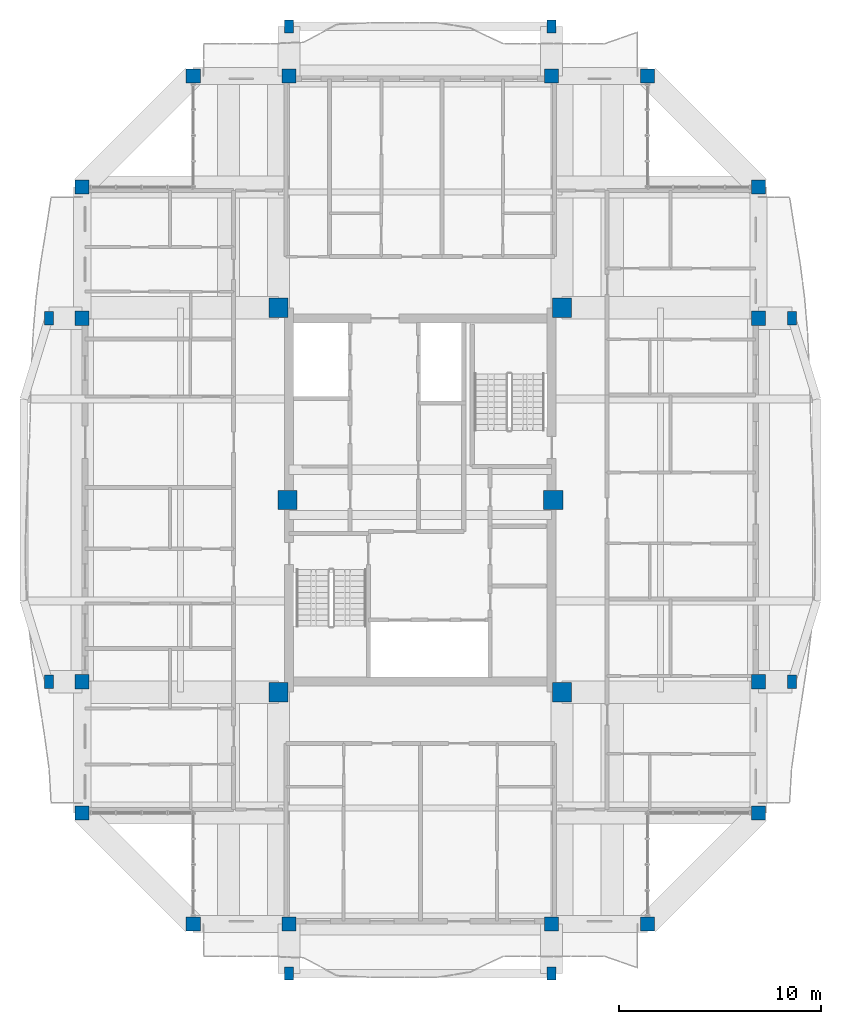
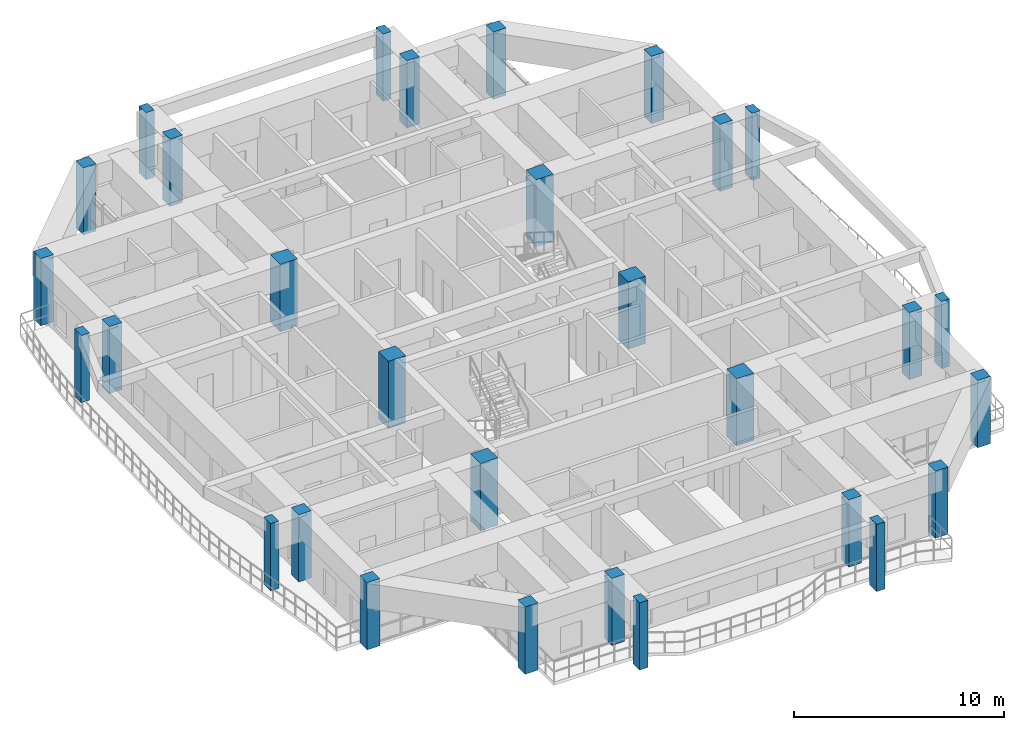
# One storey, part 1 of 27: 30 columns.
"""IFC4 building model written with IfcOpenShell, lengths in metres."""

import ifcopenshell
import ifcopenshell.guid

model = None  # the IFC model being written
_history = None  # IfcOwnerHistory: only IFC2X3 demands one
_inside = {}  # id of a spatial element -> (the spatial element, [elements in it])
_under = {}  # id of a project, library or spatial element -> (it, [spatial elements below it])
_declared = {}  # id of a project -> (the project, [libraries it declares])
_typed = {}  # id of a type object -> (the type object, [elements of that type])
_made_of = {}  # id of a material, layer set ... -> (it, [elements and type objects made of it])


def new_model(schema):
    """Start an empty IFC model of exactly this schema.

    Asked for "IFC4X3", IfcOpenShell would pick the latest addendum, in which some entities
    have other attributes; the version numbers below select the first issue.
    IFC2X3 requires an IfcOwnerHistory on every rooted entity: one is made here for all.
    """
    global model, _history
    if schema == "IFC4X3":
        model = ifcopenshell.file(schema_version=(4, 3, 0, 0))
    else:
        model = ifcopenshell.file(schema=schema)
    _inside.clear()
    _under.clear()
    _declared.clear()
    _typed.clear()
    _made_of.clear()
    _history = None
    if model.schema == "IFC2X3":
        org = make("IfcOrganization", Name="unknown")
        user = make(
            "IfcPersonAndOrganization",
            ThePerson=make("IfcPerson", FamilyName="unknown"),
            TheOrganization=org,
        )
        app = make(
            "IfcApplication",
            ApplicationDeveloper=org,
            Version="unknown",
            ApplicationFullName="unknown",
            ApplicationIdentifier="unknown",
        )
        _history = make(
            "IfcOwnerHistory",
            OwningUser=user,
            OwningApplication=app,
            ChangeAction="ADDED",
            CreationDate=0,
        )
    return model


def make(cls, **values):
    """One entity of the class cls with the attributes given. An attribute that is None is left unset."""
    return model.create_entity(
        cls, **{name: value for name, value in values.items() if value is not None}
    )


def rooted(cls, **values):
    """An entity with a GlobalId (a new one), such as an element, a storey or a relation."""
    return make(cls, GlobalId=ifcopenshell.guid.new(), OwnerHistory=_history, **values)


def si_unit(unit_type, name, prefix=None):
    """IfcSIUnit, for example si_unit("LENGTHUNIT", "METRE", prefix="MILLI")."""
    return make("IfcSIUnit", UnitType=unit_type, Prefix=prefix, Name=name)


def assignment(units):
    """IfcUnitAssignment: the units of a project."""
    return None if units is None else make("IfcUnitAssignment", Units=units)


def point(xyz):
    """IfcCartesianPoint."""
    return None if xyz is None else make("IfcCartesianPoint", Coordinates=xyz)


def direction(xyz):
    """IfcDirection."""
    return None if xyz is None else make("IfcDirection", DirectionRatios=xyz)


def frame(location, z_axis=None, x_axis=None):
    """IfcAxis2Placement3D, a coordinate frame: its origin and axes. An axis left out is left unset."""
    return make(
        "IfcAxis2Placement3D",
        Location=point(location),
        Axis=direction(z_axis),
        RefDirection=direction(x_axis),
    )


def frame_2d(location, x_axis=None):
    """IfcAxis2Placement2D, a coordinate frame in the plane: its origin and x axis."""
    return make(
        "IfcAxis2Placement2D", Location=point(location), RefDirection=direction(x_axis)
    )


def origin():
    """The frame at (0, 0, 0) with its axes left unset."""
    return frame((0.0, 0.0, 0.0))


def origin_2d():
    """The frame at (0, 0) in the plane with its x axis left unset."""
    return frame_2d((0.0, 0.0))


def place(relative_to, where):
    """IfcLocalPlacement: puts the frame where relative to a parent placement (None: the world)."""
    return make(
        "IfcLocalPlacement", PlacementRelTo=relative_to, RelativePlacement=where
    )


def context(
    kind, dimensions, precision=None, world=None, true_north=None, identifier=None
):
    """IfcGeometricRepresentationContext, for example the 3D "Model" context."""
    return make(
        "IfcGeometricRepresentationContext",
        ContextIdentifier=identifier,
        ContextType=kind,
        CoordinateSpaceDimension=dimensions,
        Precision=precision,
        WorldCoordinateSystem=world,
        TrueNorth=true_north,
    )


def subcontext(parent, identifier, kind, view, scale=None):
    """IfcGeometricRepresentationSubContext, for example "Body" below "Model"."""
    return make(
        "IfcGeometricRepresentationSubContext",
        ContextIdentifier=identifier,
        ContextType=kind,
        ParentContext=parent,
        TargetScale=scale,
        TargetView=view,
    )


def project(units=None, contexts=None):
    """IfcProject with its units and contexts."""
    return rooted(
        "IfcProject",
        Name="project",
        RepresentationContexts=contexts,
        UnitsInContext=assignment(units),
    )


def spatial(cls, under=None, at=None, **own):
    """A site, building, storey or space (cls), placed at a placement, below another one or the project."""
    s = rooted(cls, ObjectPlacement=at, **own)
    if under is not None:
        _under.setdefault(under.id(), (under, []))[1].append(s)
    return s


def profile(cls, at=None, kind="AREA", **sizes):
    """A parametric profile (cls). Its sizes go by their IFC names, for example OverallWidth=200.0."""
    return make(cls, ProfileType=kind, Position=at, **sizes)


def rectangle(**sizes):
    """IfcRectangleProfileDef."""
    return profile("IfcRectangleProfileDef", **sizes)


def extrude(swept, where, along, depth):
    """IfcExtrudedAreaSolid: the profile swept, set in the frame where, extruded along a direction by depth."""
    return make(
        "IfcExtrudedAreaSolid",
        SweptArea=swept,
        Position=where,
        ExtrudedDirection=direction(along),
        Depth=depth,
    )


def shape(context_of_items, identifier, shape_type, items):
    """IfcShapeRepresentation: the items that make up one representation, for example the "Body"."""
    return make(
        "IfcShapeRepresentation",
        ContextOfItems=context_of_items,
        RepresentationIdentifier=identifier,
        RepresentationType=shape_type,
        Items=items,
    )


def source(mapping_origin, context_of_items, identifier, shape_type, items):
    """IfcRepresentationMap: a shape defined once, which mapped items show again and again."""
    return make(
        "IfcRepresentationMap",
        MappingOrigin=mapping_origin,
        MappedRepresentation=shape(context_of_items, identifier, shape_type, items),
    )


def transform(
    local_origin,
    x_axis=None,
    y_axis=None,
    z_axis=None,
    scale=None,
    scale2=None,
    scale3=None,
    uniform=True,
):
    """IfcCartesianTransformationOperator3D, or its non-uniform kind. x_axis, y_axis, z_axis: its Axis1, 2, 3."""
    if uniform:
        return make(
            "IfcCartesianTransformationOperator3D",
            Axis1=direction(x_axis),
            Axis2=direction(y_axis),
            LocalOrigin=point(local_origin),
            Scale=scale,
            Axis3=direction(z_axis),
        )
    return make(
        "IfcCartesianTransformationOperator3DnonUniform",
        Axis1=direction(x_axis),
        Axis2=direction(y_axis),
        LocalOrigin=point(local_origin),
        Scale=scale,
        Axis3=direction(z_axis),
        Scale2=scale2,
        Scale3=scale3,
    )


def mapped(mapping_source, mapping_target):
    """IfcMappedItem: shows the shape of a source again, moved by a transform."""
    return make(
        "IfcMappedItem", MappingSource=mapping_source, MappingTarget=mapping_target
    )


def material(Name=None, Category=None):
    """IfcMaterial."""
    return make("IfcMaterial", Name=Name, Category=Category)


def material_profile(
    of_material, cross_section, Name=None, Category=None, Priority=None
):
    """IfcMaterialProfile: a cross section and its material."""
    return make(
        "IfcMaterialProfile",
        Name=Name,
        Material=of_material,
        Profile=cross_section,
        Priority=Priority,
        Category=Category,
    )


def profile_set(profiles, Name=None, composite=None):
    """IfcMaterialProfileSet."""
    return make(
        "IfcMaterialProfileSet",
        Name=Name,
        MaterialProfiles=profiles,
        CompositeProfile=composite,
    )


def made_of(thing, what):
    """Note that an element or type object is made of a material, layer set ...; save() writes the relation."""
    if what is not None:
        _made_of.setdefault(what.id(), (what, []))[1].append(thing)
    return thing


def type_object(cls, material=None, **own):
    """A type object (cls), such as IfcWallType, which elements share."""
    return made_of(rooted(cls, **own), material)


def element(
    cls,
    number,
    at=None,
    inside=None,
    cuts=None,
    type_object=None,
    material=None,
    context=None,
    identifier="Body",
    shape_type=None,
    held_by="IfcProductDefinitionShape",
    body=None,
    shapes=None,
    **own,
):
    """One element of the class cls, such as IfcWall. Its Tag is "e" and its number.

    at: its placement. inside: the storey or other place that contains it. cuts: it is an
    opening in that element (IfcRelVoidsElement). A single representation is given by context,
    identifier, shape_type and body (its items); several are given by shapes. held_by: the class
    of the entity that holds the representations. save() writes the other relations.
    """
    e = rooted(cls, Tag="e%d" % number, ObjectPlacement=at, **own)
    if body is not None:
        shapes = [shape(context, identifier, shape_type, body)]
    if shapes is not None:
        e.Representation = make(held_by, Representations=shapes)
    if inside is not None:
        _inside.setdefault(inside.id(), (inside, []))[1].append(e)
    if cuts is not None:
        rooted(
            "IfcRelVoidsElement", RelatingBuildingElement=cuts, RelatedOpeningElement=e
        )
    if type_object is not None:
        _typed.setdefault(type_object.id(), (type_object, []))[1].append(e)
    return made_of(e, material)


def aggregate(whole, parts):
    """IfcRelAggregates: a whole, such as a stair, and the parts it consists of."""
    return rooted("IfcRelAggregates", RelatingObject=whole, RelatedObjects=parts)


def save(model, path):
    """Write the relations noted so far, then the file.

    IfcRelAggregates (storeys below a building ...), IfcRelContainedInSpatialStructure (elements
    in a storey), IfcRelDefinesByType, IfcRelAssociatesMaterial and IfcRelDeclares: one each for
    every whole, place, type object, material and project.
    """
    for whole, parts in _under.values():
        aggregate(whole, parts)
    for where, things in _inside.values():
        rooted(
            "IfcRelContainedInSpatialStructure",
            RelatedElements=things,
            RelatingStructure=where,
        )
    for kind, things in _typed.values():
        rooted("IfcRelDefinesByType", RelatedObjects=things, RelatingType=kind)
    for what, things in _made_of.values():
        rooted("IfcRelAssociatesMaterial", RelatedObjects=things, RelatingMaterial=what)
    for by, libraries in _declared.values():
        rooted("IfcRelDeclares", RelatingContext=by, RelatedDefinitions=libraries)
    model.write(path)


model = new_model("IFC4")

# Units and contexts
model_context = context("Model", 3, precision=1e-05, world=origin(), true_north=direction((0.0, 1.0)))
body_context = subcontext(model_context, "Body", "Model", "MODEL_VIEW")
ifc_project = project(units=[si_unit("LENGTHUNIT", "METRE"), si_unit("AREAUNIT", "SQUARE_METRE"), si_unit("VOLUMEUNIT", "CUBIC_METRE"), si_unit("PLANEANGLEUNIT", "RADIAN"), si_unit("MASSUNIT", "GRAM", prefix="KILO")], contexts=[model_context])

# Site, building, storey
site_placement = place(None, origin())
site = spatial("IfcSite", under=ifc_project, at=site_placement, CompositionType="ELEMENT")
building_placement = place(site_placement, origin())
building = spatial("IfcBuilding", under=site, at=building_placement, Name="Saelheon Loggia Tower", CompositionType="ELEMENT")
storey_placement = place(building_placement, frame((0.0, 0.0, 236.10009765625)))
storey = spatial("IfcBuildingStorey", under=building, at=storey_placement, Name="L73", CompositionType="ELEMENT", Elevation=236.10009765625)

# Columns
ifc_material_1 = material(Name="Concrete C45/55", Category="concrete")
ifc_material_profile_1 = material_profile(ifc_material_1, rectangle(XDim=0.949951171875, YDim=0.949951171875, at=origin_2d()), Name="RC-950x950")
ifc_profile_set_1 = profile_set([ifc_material_profile_1], Name="Concrete C45/55")
column_type_1 = type_object("IfcColumnType", Name="Col_Core_RC950", PredefinedType="COLUMN", material=ifc_profile_set_1)
shared_shape_1 = source(origin(), body_context, "Body", "SweptSolid", [
    extrude(rectangle(XDim=0.949951171875, YDim=0.949951171875, at=origin_2d()), origin(), (0.0, 0.0, 1.0), 3.89990234375),
])
for number, where, z_axis, x_axis, name in (
    (1, (30.97998046875, 17.47998046875, 0.0), (0.0, 0.0, 1.0), (1.0, 0.0, 0.0), "L73 Core Column CR-SW"),
    (2, (45.02001953125, 17.47998046875, 0.0), (0.0, 0.0, 1.0), (1.0, 0.0, 0.0), "L73 Core Column CR-SE"),
    (3, (30.97998046875, 36.52001953125, 0.0), (0.0, 0.0, 1.0), (1.0, 0.0, 0.0), "L73 Core Column CR-NW"),
    (4, (45.02001953125, 36.52001953125, 0.0), (0.0, 0.0, 1.0), (1.0, 0.0, 0.0), "L73 Core Column CR-NE"),
    (5, (31.419921875, 27.0, 0.0), (0.0, 0.0, 1.0), (1.0, 0.0, 0.0), "L73 Core Column CR-MW"),
    (6, (44.580078125, 27.0, 0.0), (0.0, 0.0, 1.0), (1.0, 0.0, 0.0), "L73 Core Column CR-ME"),
):
    element("IfcColumn", number, at=place(storey_placement, frame(where, z_axis=z_axis, x_axis=x_axis)), inside=storey, type_object=column_type_1, Name=name, PredefinedType="COLUMN", context=body_context, shape_type="MappedRepresentation", body=[
        mapped(shared_shape_1, transform((0.0, 0.0, 0.0), scale=1.0)),
    ])
ifc_material_2 = material(Name="Precast Concrete C45/55", Category="concrete")
ifc_material_profile_2 = material_profile(ifc_material_2, rectangle(XDim=0.449951171875, YDim=0.64990234375, at=origin_2d()), Name="RC-450x650")
ifc_profile_set_2 = profile_set([ifc_material_profile_2], Name="Precast Concrete C45/55")
column_type_2 = type_object("IfcColumnType", Name="Col_Loggia_Pilaster_650", PredefinedType="PILASTER", material=ifc_profile_set_2)
shared_shape_2 = source(origin(), body_context, "Body", "SweptSolid", [
    extrude(rectangle(XDim=0.449951171875, YDim=0.64990234375, at=origin_2d()), origin(), (0.0, 0.0, 1.0), 3.89990234375),
])
for number, where, z_axis, x_axis, name in (
    (7, (31.5, 3.550048828125, 0.0), (0.0, 0.0, 1.0), (1.0, 0.0, 0.0), "L73 Loggia Frame Pilaster LP-S1"),
    (8, (44.5, 3.550048828125, 0.0), (0.0, 0.0, 1.0), (1.0, 0.0, 0.0), "L73 Loggia Frame Pilaster LP-S2"),
    (9, (31.5, 50.449951171875, 0.0), (0.0, 0.0, 1.0), (1.0, 0.0, 0.0), "L73 Loggia Frame Pilaster LP-N1"),
    (10, (44.5, 50.449951171875, 0.0), (0.0, 0.0, 1.0), (1.0, 0.0, 0.0), "L73 Loggia Frame Pilaster LP-N2"),
    (11, (56.39990234375, 18.0, 0.0), (0.0, 0.0, 1.0), (1.0, 0.0, 0.0), "L73 Loggia Frame Pilaster LP-E1"),
    (12, (56.39990234375, 36.0, 0.0), (0.0, 0.0, 1.0), (1.0, 0.0, 0.0), "L73 Loggia Frame Pilaster LP-E2"),
    (13, (19.60009765625, 18.0, 0.0), (0.0, 0.0, 1.0), (1.0, 0.0, 0.0), "L73 Loggia Frame Pilaster LP-W1"),
    (14, (19.60009765625, 36.0, 0.0), (0.0, 0.0, 1.0), (1.0, 0.0, 0.0), "L73 Loggia Frame Pilaster LP-W2"),
):
    element("IfcColumn", number, at=place(storey_placement, frame(where, z_axis=z_axis, x_axis=x_axis)), inside=storey, type_object=column_type_2, Name=name, PredefinedType="PILASTER", context=body_context, shape_type="MappedRepresentation", body=[
        mapped(shared_shape_2, transform((0.0, 0.0, 0.0), scale=1.0)),
    ])
ifc_material_profile_3 = material_profile(ifc_material_1, rectangle(XDim=0.699951171875, YDim=0.699951171875, at=origin_2d()), Name="RC-700x700")
ifc_profile_set_3 = profile_set([ifc_material_profile_3], Name="Concrete C45/55")
column_type_3 = type_object("IfcColumnType", Name="Col_Perim_RC700", PredefinedType="COLUMN", material=ifc_profile_set_3)
shared_shape_3 = source(origin(), body_context, "Body", "SweptSolid", [
    extrude(rectangle(XDim=0.699951171875, YDim=0.699951171875, at=origin_2d()), origin(), (0.0, 0.0, 1.0), 3.89990234375),
])
for number, where, z_axis, x_axis, name in (
    (15, (26.75, 6.0, 0.0), (0.0, 0.0, 1.0), (1.0, 0.0, 0.0), "L73 Perimeter Column TP-S1"),
    (16, (31.5, 6.0, 0.0), (0.0, 0.0, 1.0), (1.0, 0.0, 0.0), "L73 Perimeter Column TP-SA"),
    (17, (44.5, 6.0, 0.0), (0.0, 0.0, 1.0), (1.0, 0.0, 0.0), "L73 Perimeter Column TP-SB"),
    (18, (49.25, 6.0, 0.0), (0.0, 0.0, 1.0), (1.0, 0.0, 0.0), "L73 Perimeter Column TP-S2"),
    (19, (54.75, 11.5, 0.0), (0.0, 0.0, 1.0), (1.0, 0.0, 0.0), "L73 Perimeter Column TP-E1"),
    (20, (54.75, 18.0, 0.0), (0.0, 0.0, 1.0), (1.0, 0.0, 0.0), "L73 Perimeter Column TP-EA"),
    (21, (54.75, 36.0, 0.0), (0.0, 0.0, 1.0), (1.0, 0.0, 0.0), "L73 Perimeter Column TP-EB"),
    (22, (54.75, 42.5, 0.0), (0.0, 0.0, 1.0), (1.0, 0.0, 0.0), "L73 Perimeter Column TP-E2"),
    (23, (49.25, 48.0, 0.0), (0.0, 0.0, 1.0), (1.0, 0.0, 0.0), "L73 Perimeter Column TP-N2"),
    (24, (44.5, 48.0, 0.0), (0.0, 0.0, 1.0), (1.0, 0.0, 0.0), "L73 Perimeter Column TP-NB"),
    (25, (31.5, 48.0, 0.0), (0.0, 0.0, 1.0), (1.0, 0.0, 0.0), "L73 Perimeter Column TP-NA"),
    (26, (26.75, 48.0, 0.0), (0.0, 0.0, 1.0), (1.0, 0.0, 0.0), "L73 Perimeter Column TP-N1"),
    (27, (21.25, 42.5, 0.0), (0.0, 0.0, 1.0), (1.0, 0.0, 0.0), "L73 Perimeter Column TP-W2"),
    (28, (21.25, 36.0, 0.0), (0.0, 0.0, 1.0), (1.0, 0.0, 0.0), "L73 Perimeter Column TP-WB"),
    (29, (21.25, 18.0, 0.0), (0.0, 0.0, 1.0), (1.0, 0.0, 0.0), "L73 Perimeter Column TP-WA"),
    (30, (21.25, 11.5, 0.0), (0.0, 0.0, 1.0), (1.0, 0.0, 0.0), "L73 Perimeter Column TP-W1"),
):
    element("IfcColumn", number, at=place(storey_placement, frame(where, z_axis=z_axis, x_axis=x_axis)), inside=storey, type_object=column_type_3, Name=name, PredefinedType="COLUMN", context=body_context, shape_type="MappedRepresentation", body=[
        mapped(shared_shape_3, transform((0.0, 0.0, 0.0), scale=1.0)),
    ])

save(model, "model.ifc")
